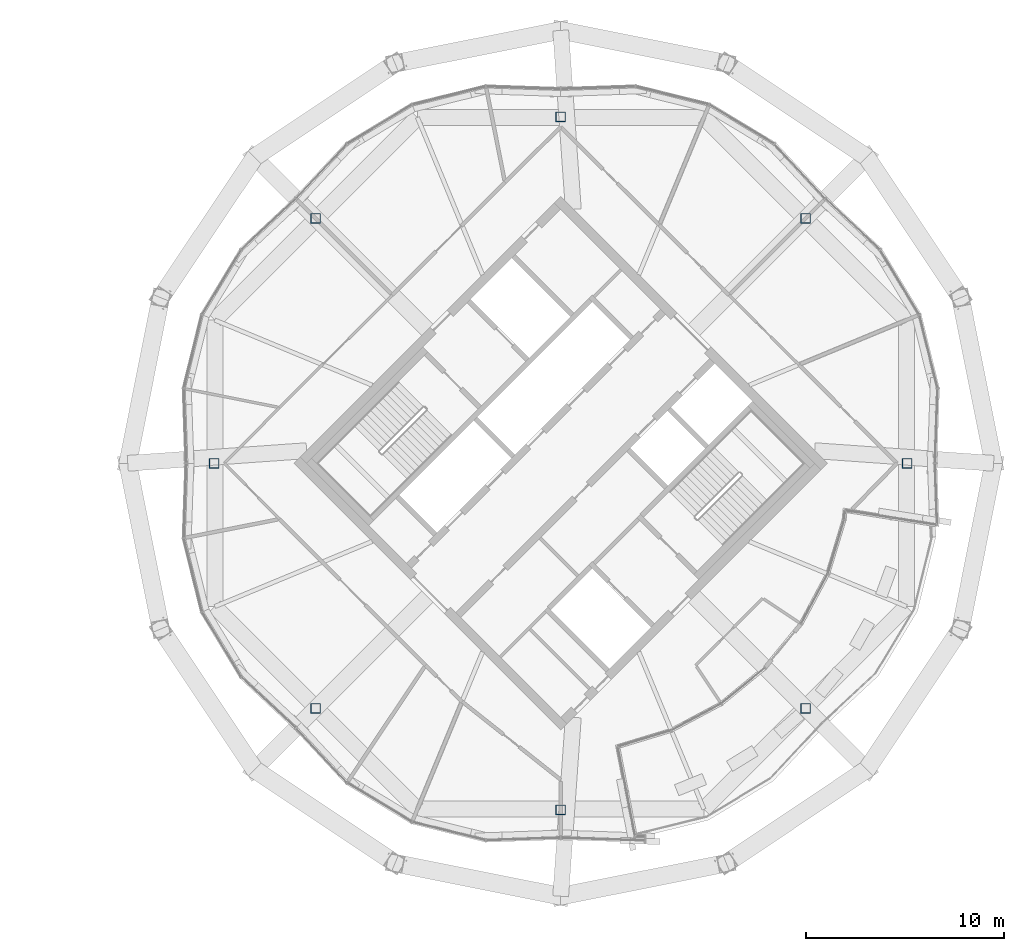
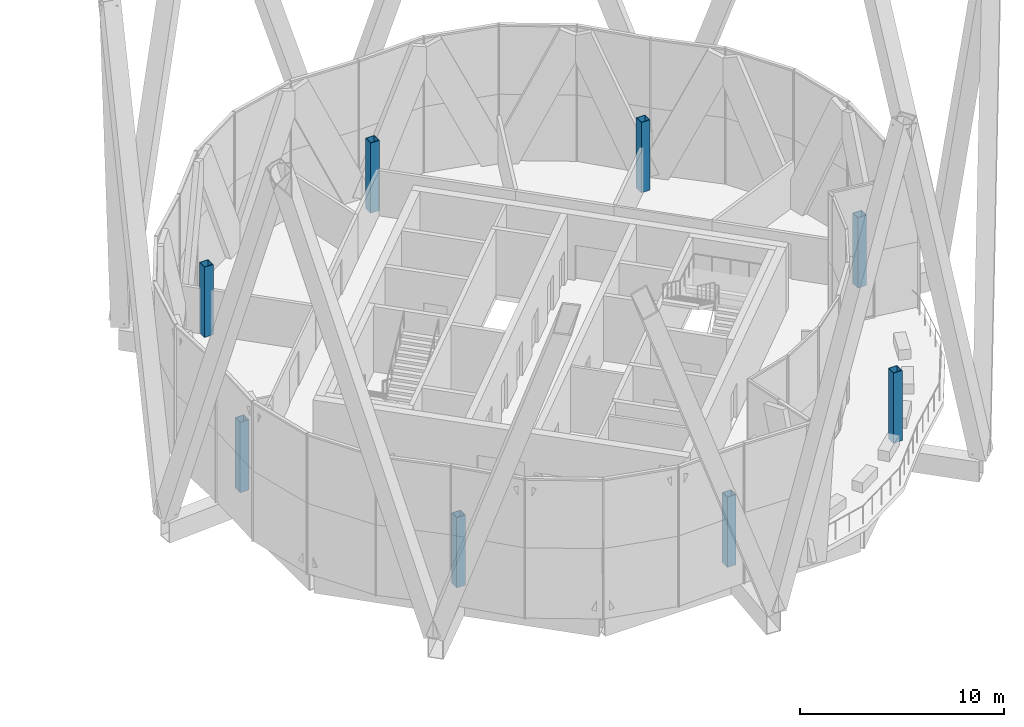
# One storey, part 2 of 38: 8 columns.
"""IFC4 building model written with IfcOpenShell, lengths in metres."""

import ifcopenshell
import ifcopenshell.guid

model = None  # the IFC model being written
_history = None  # IfcOwnerHistory: only IFC2X3 demands one
_inside = {}  # id of a spatial element -> (the spatial element, [elements in it])
_under = {}  # id of a project, library or spatial element -> (it, [spatial elements below it])
_declared = {}  # id of a project -> (the project, [libraries it declares])
_typed = {}  # id of a type object -> (the type object, [elements of that type])
_made_of = {}  # id of a material, layer set ... -> (it, [elements and type objects made of it])


def new_model(schema):
    """Start an empty IFC model of exactly this schema.

    Asked for "IFC4X3", IfcOpenShell would pick the latest addendum, in which some entities
    have other attributes; the version numbers below select the first issue.
    IFC2X3 requires an IfcOwnerHistory on every rooted entity: one is made here for all.
    """
    global model, _history
    if schema == "IFC4X3":
        model = ifcopenshell.file(schema_version=(4, 3, 0, 0))
    else:
        model = ifcopenshell.file(schema=schema)
    _inside.clear()
    _under.clear()
    _declared.clear()
    _typed.clear()
    _made_of.clear()
    _history = None
    if model.schema == "IFC2X3":
        org = make("IfcOrganization", Name="unknown")
        user = make(
            "IfcPersonAndOrganization",
            ThePerson=make("IfcPerson", FamilyName="unknown"),
            TheOrganization=org,
        )
        app = make(
            "IfcApplication",
            ApplicationDeveloper=org,
            Version="unknown",
            ApplicationFullName="unknown",
            ApplicationIdentifier="unknown",
        )
        _history = make(
            "IfcOwnerHistory",
            OwningUser=user,
            OwningApplication=app,
            ChangeAction="ADDED",
            CreationDate=0,
        )
    return model


def make(cls, **values):
    """One entity of the class cls with the attributes given. An attribute that is None is left unset."""
    return model.create_entity(
        cls, **{name: value for name, value in values.items() if value is not None}
    )


def rooted(cls, **values):
    """An entity with a GlobalId (a new one), such as an element, a storey or a relation."""
    return make(cls, GlobalId=ifcopenshell.guid.new(), OwnerHistory=_history, **values)


def si_unit(unit_type, name, prefix=None):
    """IfcSIUnit, for example si_unit("LENGTHUNIT", "METRE", prefix="MILLI")."""
    return make("IfcSIUnit", UnitType=unit_type, Prefix=prefix, Name=name)


def assignment(units):
    """IfcUnitAssignment: the units of a project."""
    return None if units is None else make("IfcUnitAssignment", Units=units)


def point(xyz):
    """IfcCartesianPoint."""
    return None if xyz is None else make("IfcCartesianPoint", Coordinates=xyz)


def direction(xyz):
    """IfcDirection."""
    return None if xyz is None else make("IfcDirection", DirectionRatios=xyz)


def frame(location, z_axis=None, x_axis=None):
    """IfcAxis2Placement3D, a coordinate frame: its origin and axes. An axis left out is left unset."""
    return make(
        "IfcAxis2Placement3D",
        Location=point(location),
        Axis=direction(z_axis),
        RefDirection=direction(x_axis),
    )


def frame_2d(location, x_axis=None):
    """IfcAxis2Placement2D, a coordinate frame in the plane: its origin and x axis."""
    return make(
        "IfcAxis2Placement2D", Location=point(location), RefDirection=direction(x_axis)
    )


def origin():
    """The frame at (0, 0, 0) with its axes left unset."""
    return frame((0.0, 0.0, 0.0))


def origin_2d():
    """The frame at (0, 0) in the plane with its x axis left unset."""
    return frame_2d((0.0, 0.0))


def place(relative_to, where):
    """IfcLocalPlacement: puts the frame where relative to a parent placement (None: the world)."""
    return make(
        "IfcLocalPlacement", PlacementRelTo=relative_to, RelativePlacement=where
    )


def context(
    kind, dimensions, precision=None, world=None, true_north=None, identifier=None
):
    """IfcGeometricRepresentationContext, for example the 3D "Model" context."""
    return make(
        "IfcGeometricRepresentationContext",
        ContextIdentifier=identifier,
        ContextType=kind,
        CoordinateSpaceDimension=dimensions,
        Precision=precision,
        WorldCoordinateSystem=world,
        TrueNorth=true_north,
    )


def subcontext(parent, identifier, kind, view, scale=None):
    """IfcGeometricRepresentationSubContext, for example "Body" below "Model"."""
    return make(
        "IfcGeometricRepresentationSubContext",
        ContextIdentifier=identifier,
        ContextType=kind,
        ParentContext=parent,
        TargetScale=scale,
        TargetView=view,
    )


def project(units=None, contexts=None):
    """IfcProject with its units and contexts."""
    return rooted(
        "IfcProject",
        Name="project",
        RepresentationContexts=contexts,
        UnitsInContext=assignment(units),
    )


def spatial(cls, under=None, at=None, **own):
    """A site, building, storey or space (cls), placed at a placement, below another one or the project."""
    s = rooted(cls, ObjectPlacement=at, **own)
    if under is not None:
        _under.setdefault(under.id(), (under, []))[1].append(s)
    return s


def profile(cls, at=None, kind="AREA", **sizes):
    """A parametric profile (cls). Its sizes go by their IFC names, for example OverallWidth=200.0."""
    return make(cls, ProfileType=kind, Position=at, **sizes)


def hollow_rectangle(**sizes):
    """IfcRectangleHollowProfileDef."""
    return profile("IfcRectangleHollowProfileDef", **sizes)


def extrude(swept, where, along, depth):
    """IfcExtrudedAreaSolid: the profile swept, set in the frame where, extruded along a direction by depth."""
    return make(
        "IfcExtrudedAreaSolid",
        SweptArea=swept,
        Position=where,
        ExtrudedDirection=direction(along),
        Depth=depth,
    )


def shape(context_of_items, identifier, shape_type, items):
    """IfcShapeRepresentation: the items that make up one representation, for example the "Body"."""
    return make(
        "IfcShapeRepresentation",
        ContextOfItems=context_of_items,
        RepresentationIdentifier=identifier,
        RepresentationType=shape_type,
        Items=items,
    )


def material(Name=None, Category=None):
    """IfcMaterial."""
    return make("IfcMaterial", Name=Name, Category=Category)


def material_profile(
    of_material, cross_section, Name=None, Category=None, Priority=None
):
    """IfcMaterialProfile: a cross section and its material."""
    return make(
        "IfcMaterialProfile",
        Name=Name,
        Material=of_material,
        Profile=cross_section,
        Priority=Priority,
        Category=Category,
    )


def profile_set(profiles, Name=None, composite=None):
    """IfcMaterialProfileSet."""
    return make(
        "IfcMaterialProfileSet",
        Name=Name,
        MaterialProfiles=profiles,
        CompositeProfile=composite,
    )


def made_of(thing, what):
    """Note that an element or type object is made of a material, layer set ...; save() writes the relation."""
    if what is not None:
        _made_of.setdefault(what.id(), (what, []))[1].append(thing)
    return thing


def type_object(cls, material=None, **own):
    """A type object (cls), such as IfcWallType, which elements share."""
    return made_of(rooted(cls, **own), material)


def element(
    cls,
    number,
    at=None,
    inside=None,
    cuts=None,
    type_object=None,
    material=None,
    context=None,
    identifier="Body",
    shape_type=None,
    held_by="IfcProductDefinitionShape",
    body=None,
    shapes=None,
    **own,
):
    """One element of the class cls, such as IfcWall. Its Tag is "e" and its number.

    at: its placement. inside: the storey or other place that contains it. cuts: it is an
    opening in that element (IfcRelVoidsElement). A single representation is given by context,
    identifier, shape_type and body (its items); several are given by shapes. held_by: the class
    of the entity that holds the representations. save() writes the other relations.
    """
    e = rooted(cls, Tag="e%d" % number, ObjectPlacement=at, **own)
    if body is not None:
        shapes = [shape(context, identifier, shape_type, body)]
    if shapes is not None:
        e.Representation = make(held_by, Representations=shapes)
    if inside is not None:
        _inside.setdefault(inside.id(), (inside, []))[1].append(e)
    if cuts is not None:
        rooted(
            "IfcRelVoidsElement", RelatingBuildingElement=cuts, RelatedOpeningElement=e
        )
    if type_object is not None:
        _typed.setdefault(type_object.id(), (type_object, []))[1].append(e)
    return made_of(e, material)


def aggregate(whole, parts):
    """IfcRelAggregates: a whole, such as a stair, and the parts it consists of."""
    return rooted("IfcRelAggregates", RelatingObject=whole, RelatedObjects=parts)


def save(model, path):
    """Write the relations noted so far, then the file.

    IfcRelAggregates (storeys below a building ...), IfcRelContainedInSpatialStructure (elements
    in a storey), IfcRelDefinesByType, IfcRelAssociatesMaterial and IfcRelDeclares: one each for
    every whole, place, type object, material and project.
    """
    for whole, parts in _under.values():
        aggregate(whole, parts)
    for where, things in _inside.values():
        rooted(
            "IfcRelContainedInSpatialStructure",
            RelatedElements=things,
            RelatingStructure=where,
        )
    for kind, things in _typed.values():
        rooted("IfcRelDefinesByType", RelatedObjects=things, RelatingType=kind)
    for what, things in _made_of.values():
        rooted("IfcRelAssociatesMaterial", RelatedObjects=things, RelatingMaterial=what)
    for by, libraries in _declared.values():
        rooted("IfcRelDeclares", RelatingContext=by, RelatedDefinitions=libraries)
    model.write(path)


model = new_model("IFC4")

# Units and contexts
model_context = context("Model", 3, precision=1e-05, world=origin(), true_north=direction((0.0, 1.0)))
body_context = subcontext(model_context, "Body", "Model", "MODEL_VIEW")
ifc_project = project(units=[si_unit("LENGTHUNIT", "METRE"), si_unit("AREAUNIT", "SQUARE_METRE"), si_unit("VOLUMEUNIT", "CUBIC_METRE"), si_unit("PLANEANGLEUNIT", "RADIAN"), si_unit("MASSUNIT", "GRAM", prefix="KILO")], contexts=[model_context])

# Site, building, storey
site_placement = place(None, origin())
site = spatial("IfcSite", under=ifc_project, at=site_placement, CompositionType="ELEMENT")
building_placement = place(site_placement, origin())
building = spatial("IfcBuilding", under=site, at=building_placement, Name="Ogive Gate Towers", CompositionType="ELEMENT")
storey_placement = place(building_placement, frame((0.0, 0.0, 268.800048828125)))
storey = spatial("IfcBuildingStorey", under=building, at=storey_placement, Name="L63", CompositionType="ELEMENT", Elevation=268.800048828125)

# Columns
ifc_material = material(Name="Steel SM460", Category="steel")
ifc_material_profile = material_profile(ifc_material, hollow_rectangle(XDim=0.5, YDim=0.5, WallThickness=0.030029296875, at=origin_2d()), Name="BX 500x500x30")
ifc_profile_set = profile_set([ifc_material_profile], Name="Steel SM460")
column_type = type_object("IfcColumnType", Name="Perimeter post BX 500x500x30", PredefinedType="COLUMN", material=ifc_profile_set)
for number, where, z_axis, x_axis, name in (
    (1, (53.455078125, 0.0, 0.0), (0.0, 0.0, 1.0), (1.0, 0.0, 0.0), "T2/L63/SCL001"),
    (2, (48.342529296875, 12.342529296875, 0.0), (0.0, 0.0, 1.0), (1.0, 0.0, 0.0), "T2/L63/SCL002"),
    (3, (36.0, 17.455078125, 0.0), (0.0, 0.0, 1.0), (1.0, 0.0, 0.0), "T2/L63/SCL003"),
    (4, (23.657470703125, 12.342529296875, 0.0), (0.0, 0.0, 1.0), (1.0, 0.0, 0.0), "T2/L63/SCL004"),
    (5, (18.544921875, 0.0, 0.0), (0.0, 0.0, 1.0), (1.0, 0.0, 0.0), "T2/L63/SCL005"),
    (6, (23.657470703125, -12.342529296875, 0.0), (0.0, 0.0, 1.0), (1.0, 0.0, 0.0), "T2/L63/SCL006"),
    (7, (36.0, -17.455078125, 0.0), (0.0, 0.0, 1.0), (1.0, 0.0, 0.0), "T2/L63/SCL007"),
    (8, (48.342529296875, -12.342529296875, 0.0), (0.0, 0.0, 1.0), (1.0, 0.0, 0.0), "T2/L63/SCL008"),
):
    element("IfcColumn", number, at=place(storey_placement, frame(where, z_axis=z_axis, x_axis=x_axis)), inside=storey, type_object=column_type, Name=name, PredefinedType="COLUMN", context=body_context, shape_type="SweptSolid", body=[
        extrude(hollow_rectangle(XDim=0.5, YDim=0.5, WallThickness=0.030029296875, at=origin_2d()), origin(), (0.0, 0.0, 1.0), 4.199951171875),
    ])

save(model, "model.ifc")
